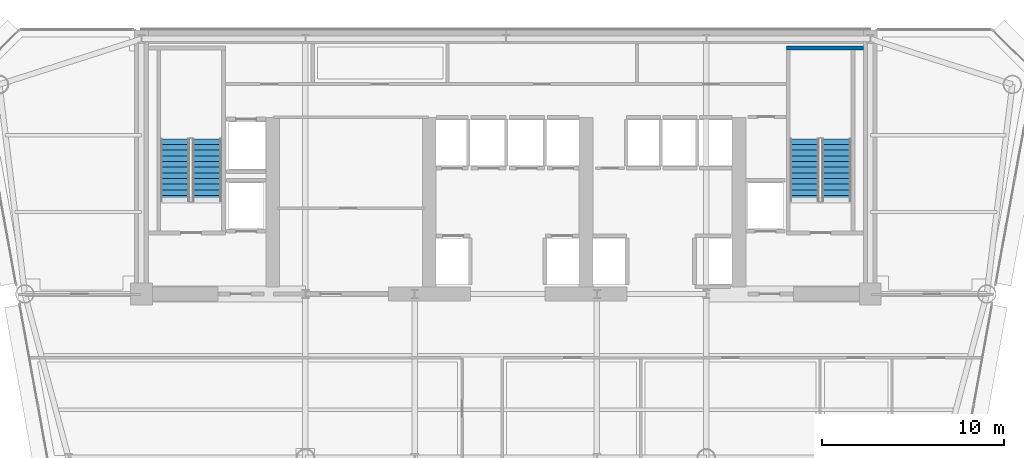
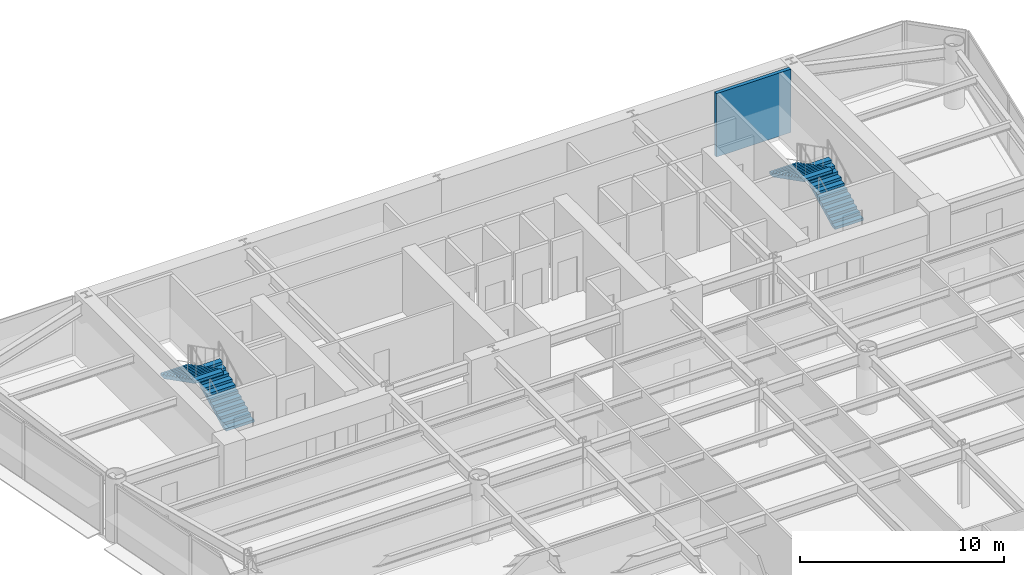
# One storey, part 10 of 14: 4 stair flights, 1 wall, 2 elements without a shape of their own.
"""IFC4 building model written with IfcOpenShell, lengths in metres."""

from ifc_helpers import new_model, si_unit, direction, frame, frame_2d, origin, place, context, subcontext, project, spatial, polyline, rectangle, outline, extrude, material, layer, layer_set, type_object, element, aggregate, save


model = new_model("IFC4")

# Units and contexts
model_context = context("Model", 3, precision=1e-05, world=origin(), true_north=direction((0.0, 1.0)))
body_context = subcontext(model_context, "Body", "Model", "MODEL_VIEW")
ifc_project = project(units=[si_unit("LENGTHUNIT", "METRE"), si_unit("AREAUNIT", "SQUARE_METRE"), si_unit("VOLUMEUNIT", "CUBIC_METRE"), si_unit("PLANEANGLEUNIT", "RADIAN"), si_unit("MASSUNIT", "GRAM", prefix="KILO")], contexts=[model_context])

# Site, building, storey
site_placement = place(None, origin())
site = spatial("IfcSite", under=ifc_project, at=site_placement, CompositionType="ELEMENT")
building_placement = place(site_placement, origin())
building = spatial("IfcBuilding", under=site, at=building_placement, Name="Vaeldorn Concourse Tower", CompositionType="ELEMENT")
storey_placement = place(building_placement, frame((0.0, 0.0, 145.199951171875)))
storey = spatial("IfcBuildingStorey", under=building, at=storey_placement, Name="L37", CompositionType="ELEMENT", Elevation=145.199951171875)

# Wall
ifc_material_1 = material(Name="Concrete C50/60", Category="concrete")
ifc_layer = layer(ifc_material_1, 0.199951171875)
ifc_layer_set = layer_set([ifc_layer], Name="Concrete C50/60")
wall_type = type_object("IfcWallType", Name="WL-SHAFT-200", PredefinedType="SOLIDWALL", material=ifc_layer_set)
wall_placement = place(storey_placement, frame((49.39990234375, 50.0, 0.0), z_axis=(0.0, 0.0, 1.0), x_axis=(1.0, 0.0, 0.0)))
element("IfcWall", 1, at=wall_placement, inside=storey, type_object=wall_type, Name="Stair Shaft Wall CW-L37-ST-2-N", PredefinedType="SOLIDWALL", context=body_context, shape_type="SweptSolid", body=[
    extrude(rectangle(XDim=4.22509765625, YDim=0.199951171875, at=frame_2d((2.112548828125, 0.0))), origin(), (0.0, 0.0, 1.0), 3.800048828125),
])

# Stair, stair flights
ifc_material_2 = material(Name="Precast concrete C40/50", Category="concrete")
stair_type = type_object("IfcStairType", Name="STR-DOG-24x158", PredefinedType="HALF_TURN_STAIR", material=ifc_material_2)
stair_1_placement = place(storey_placement, origin())
stair_1 = element("IfcStair", 2, at=stair_1_placement, inside=storey, type_object=stair_type, Name="L37 West Core Exit Stair ST-1", PredefinedType="HALF_TURN_STAIR")
stair_flight_type = type_object("IfcStairFlightType", Name="STF-STR-12x158", PredefinedType="STRAIGHT", material=ifc_material_2)
stair_flight_1_placement = place(storey_placement, frame((17.60009765625, 41.60009765625, 0.0), z_axis=(0.0, 0.0, 1.0), x_axis=(0.0, 1.0, 0.0)))
stair_flight_1 = element("IfcStairFlight", 3, at=stair_flight_1_placement, type_object=stair_flight_type, Name="ST-1 flight 1", NumberOfRisers=12, NumberOfTreads=11, PredefinedType="STRAIGHT", RiserHeight=0.158333333, TreadLength=0.31, context=body_context, shape_type="SweptSolid", body=[
    extrude(outline(polyline([(0.0, 0.0), (0.0, 0.158447265625), (0.31005859375, 0.158447265625), (0.31005859375, 0.316650390625), (0.6201171875, 0.316650390625), (0.6201171875, 0.47509765625), (0.929931640625, 0.47509765625), (0.929931640625, 0.63330078125), (1.239990234375, 0.63330078125), (1.239990234375, 0.791748046875), (1.550048828125, 0.791748046875), (1.550048828125, 0.949951171875), (1.860107421875, 0.949951171875), (1.860107421875, 1.1083984375), (2.169921875, 1.1083984375), (2.169921875, 1.2666015625), (2.47998046875, 1.2666015625), (2.47998046875, 1.425048828125), (2.7900390625, 1.425048828125), (2.7900390625, 1.583251953125), (3.10009765625, 1.583251953125), (3.10009765625, 1.74169921875), (3.409912109375, 1.74169921875), (3.409912109375, 1.89990234375), (3.409912109375, 1.5732421875), (0.32958984375, 0.0), (0.0, 0.0)])), frame((0.0, 0.800048828125, 0.0), z_axis=(0.0, -1.0, 0.0), x_axis=(1.0, 0.0, 0.0)), (0.0, 0.0, 1.0), 1.60009765625),
])
stair_flight_2_placement = place(storey_placement, frame((15.85009765625, 45.010009765625, 1.900146484375), z_axis=(0.0, 0.0, 1.0), x_axis=(0.0, -1.0, 0.0)))
stair_flight_2 = element("IfcStairFlight", 4, at=stair_flight_2_placement, type_object=stair_flight_type, Name="ST-1 flight 2", NumberOfRisers=12, NumberOfTreads=11, PredefinedType="STRAIGHT", RiserHeight=0.158333333, TreadLength=0.31, context=body_context, shape_type="SweptSolid", body=[
    extrude(outline(polyline([(0.0, 0.0), (0.0, 0.158447265625), (0.31005859375, 0.158447265625), (0.31005859375, 0.316650390625), (0.6201171875, 0.316650390625), (0.6201171875, 0.47509765625), (0.929931640625, 0.47509765625), (0.929931640625, 0.63330078125), (1.239990234375, 0.63330078125), (1.239990234375, 0.791748046875), (1.550048828125, 0.791748046875), (1.550048828125, 0.949951171875), (1.860107421875, 0.949951171875), (1.860107421875, 1.1083984375), (2.169921875, 1.1083984375), (2.169921875, 1.2666015625), (2.47998046875, 1.2666015625), (2.47998046875, 1.425048828125), (2.7900390625, 1.425048828125), (2.7900390625, 1.583251953125), (3.10009765625, 1.583251953125), (3.10009765625, 1.74169921875), (3.409912109375, 1.74169921875), (3.409912109375, 1.89990234375), (3.409912109375, 1.5732421875), (0.32958984375, 0.0), (0.0, 0.0)])), frame((0.0, 0.800048828125, 0.0), z_axis=(0.0, -1.0, 0.0), x_axis=(1.0, 0.0, 0.0)), (0.0, 0.0, 1.0), 1.60009765625),
])
aggregate(stair_1, [stair_flight_1, stair_flight_2])

stair_2_placement = place(storey_placement, origin())
stair_2 = element("IfcStair", 5, at=stair_2_placement, inside=storey, type_object=stair_type, Name="L37 East Core Exit Stair ST-2", PredefinedType="HALF_TURN_STAIR")
stair_flight_3_placement = place(storey_placement, frame((52.14990234375, 41.60009765625, 0.0), z_axis=(0.0, 0.0, 1.0), x_axis=(0.0, 1.0, 0.0)))
stair_flight_3 = element("IfcStairFlight", 6, at=stair_flight_3_placement, type_object=stair_flight_type, Name="ST-2 flight 1", NumberOfRisers=12, NumberOfTreads=11, PredefinedType="STRAIGHT", RiserHeight=0.158333333, TreadLength=0.31, context=body_context, shape_type="SweptSolid", body=[
    extrude(outline(polyline([(0.0, 0.0), (0.0, 0.158447265625), (0.31005859375, 0.158447265625), (0.31005859375, 0.316650390625), (0.6201171875, 0.316650390625), (0.6201171875, 0.47509765625), (0.929931640625, 0.47509765625), (0.929931640625, 0.63330078125), (1.239990234375, 0.63330078125), (1.239990234375, 0.791748046875), (1.550048828125, 0.791748046875), (1.550048828125, 0.949951171875), (1.860107421875, 0.949951171875), (1.860107421875, 1.1083984375), (2.169921875, 1.1083984375), (2.169921875, 1.2666015625), (2.47998046875, 1.2666015625), (2.47998046875, 1.425048828125), (2.7900390625, 1.425048828125), (2.7900390625, 1.583251953125), (3.10009765625, 1.583251953125), (3.10009765625, 1.74169921875), (3.409912109375, 1.74169921875), (3.409912109375, 1.89990234375), (3.409912109375, 1.5732421875), (0.32958984375, 0.0), (0.0, 0.0)])), frame((0.0, 0.800048828125, 0.0), z_axis=(0.0, -1.0, 0.0), x_axis=(1.0, 0.0, 0.0)), (0.0, 0.0, 1.0), 1.60009765625),
])
stair_flight_4_placement = place(storey_placement, frame((50.39990234375, 45.010009765625, 1.900146484375), z_axis=(0.0, 0.0, 1.0), x_axis=(0.0, -1.0, 0.0)))
stair_flight_4 = element("IfcStairFlight", 7, at=stair_flight_4_placement, type_object=stair_flight_type, Name="ST-2 flight 2", NumberOfRisers=12, NumberOfTreads=11, PredefinedType="STRAIGHT", RiserHeight=0.158333333, TreadLength=0.31, context=body_context, shape_type="SweptSolid", body=[
    extrude(outline(polyline([(0.0, 0.0), (0.0, 0.158447265625), (0.31005859375, 0.158447265625), (0.31005859375, 0.316650390625), (0.6201171875, 0.316650390625), (0.6201171875, 0.47509765625), (0.929931640625, 0.47509765625), (0.929931640625, 0.63330078125), (1.239990234375, 0.63330078125), (1.239990234375, 0.791748046875), (1.550048828125, 0.791748046875), (1.550048828125, 0.949951171875), (1.860107421875, 0.949951171875), (1.860107421875, 1.1083984375), (2.169921875, 1.1083984375), (2.169921875, 1.2666015625), (2.47998046875, 1.2666015625), (2.47998046875, 1.425048828125), (2.7900390625, 1.425048828125), (2.7900390625, 1.583251953125), (3.10009765625, 1.583251953125), (3.10009765625, 1.74169921875), (3.409912109375, 1.74169921875), (3.409912109375, 1.89990234375), (3.409912109375, 1.5732421875), (0.32958984375, 0.0), (0.0, 0.0)])), frame((0.0, 0.800048828125, 0.0), z_axis=(0.0, -1.0, 0.0), x_axis=(1.0, 0.0, 0.0)), (0.0, 0.0, 1.0), 1.60009765625),
])
aggregate(stair_2, [stair_flight_3, stair_flight_4])

save(model, "model.ifc")
